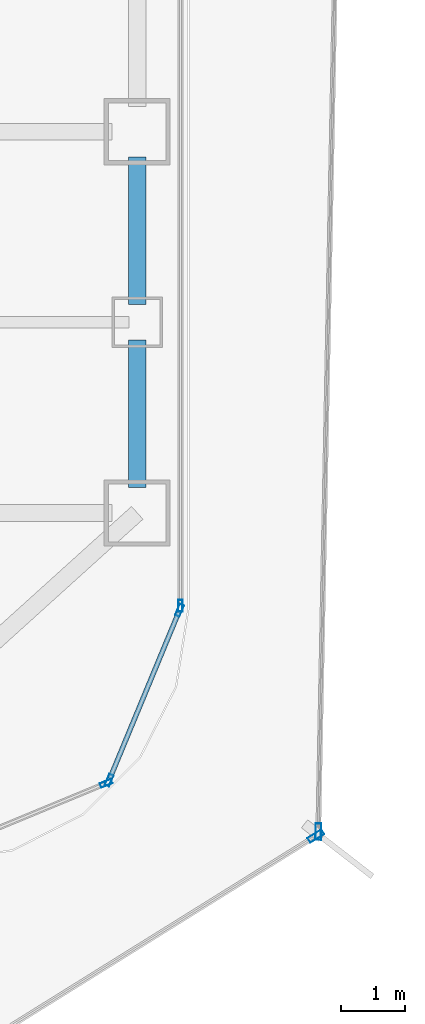
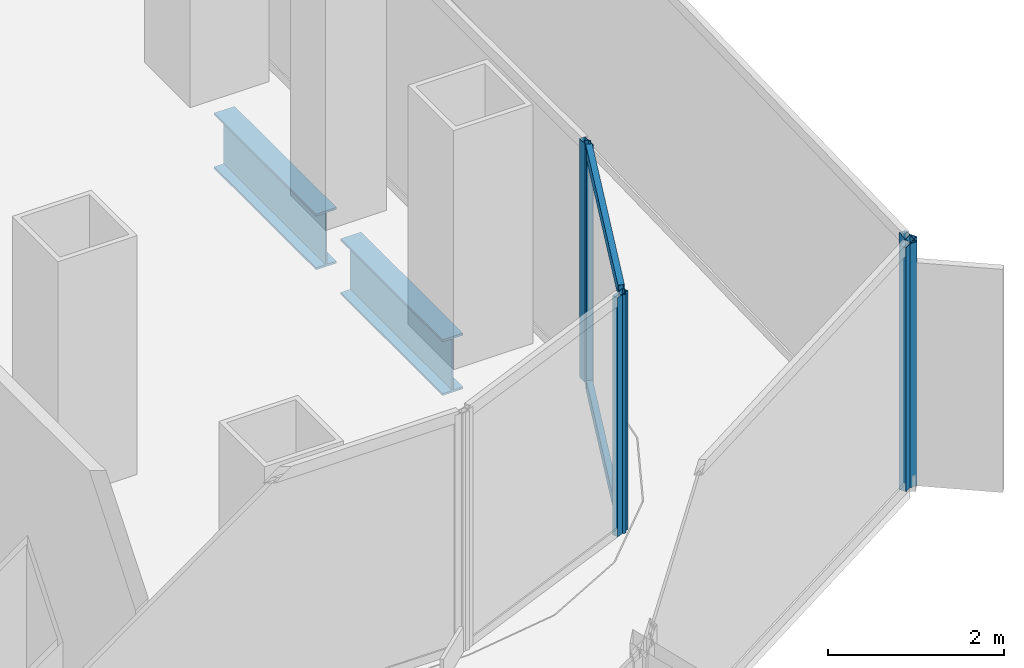
# One storey, part 8 of 21: 8 members, 2 beams, 5 elements without a shape of their own.
"""IFC4 building model written with IfcOpenShell, lengths in metres."""

from ifc_helpers import new_model, si_unit, direction, frame, origin, origin_2d, place, context, subcontext, project, spatial, hollow_rectangle, i_section, extrude, source, transform, mapped, material, layer, layer_set, material_profile, profile_set, type_object, element, aggregate, save


model = new_model("IFC4")

# Units and contexts
model_context = context("Model", 3, precision=1e-05, world=origin(), true_north=direction((0.0, 1.0)))
body_context = subcontext(model_context, "Body", "Model", "MODEL_VIEW")
ifc_project = project(units=[si_unit("LENGTHUNIT", "METRE"), si_unit("AREAUNIT", "SQUARE_METRE"), si_unit("VOLUMEUNIT", "CUBIC_METRE"), si_unit("PLANEANGLEUNIT", "RADIAN"), si_unit("MASSUNIT", "GRAM", prefix="KILO")], contexts=[model_context])

# Site, building, storey
site_placement = place(None, origin())
site = spatial("IfcSite", under=ifc_project, at=site_placement, CompositionType="ELEMENT")
building_placement = place(site_placement, origin())
building = spatial("IfcBuilding", under=site, at=building_placement, Name="Kolveth Station Tower", CompositionType="ELEMENT")
storey_placement = place(building_placement, frame((0.0, 0.0, 26.10009765625)))
storey = spatial("IfcBuildingStorey", under=building, at=storey_placement, Name="L06", CompositionType="ELEMENT", Elevation=26.10009765625)

# Beams
ifc_material_1 = material(Name="Steel S355", Category="steel")
ifc_material_profile_1 = material_profile(ifc_material_1, i_section(OverallWidth=0.26904296875, OverallDepth=0.77490234375, WebThickness=0.01708984375, FlangeThickness=0.0283203125, at=origin_2d()), Name="W760x220")
ifc_profile_set_1 = profile_set([ifc_material_profile_1], Name="Steel S355")
beam_type = type_object("IfcBeamType", Name="Beam_SP1", PredefinedType="SPANDREL", material=ifc_profile_set_1)
shared_shape_1 = source(origin(), body_context, "Body", "SweptSolid", [
    extrude(i_section(OverallWidth=0.26904296875, OverallDepth=0.77490234375, WebThickness=0.01708984375, FlangeThickness=0.0283203125, at=origin_2d()), origin(), (0.0, 0.0, 1.0), 2.320068359375),
])
for number, where, z_axis, x_axis, name in (
    (1, (46.199951171875, 5.89990234375, -0.66748046875), (0.0, 1.0, 0.0), (-1.0, 0.0, 0.0), "L06 Perimeter Spandrel BM-L06-PE-1"),
    (2, (46.199951171875, 8.780029296875, -0.66748046875), (0.0, 1.0, 0.0), (-1.0, 0.0, 0.0), "L06 Perimeter Spandrel BM-L06-PE-2"),
):
    element("IfcBeam", number, at=place(storey_placement, frame(where, z_axis=z_axis, x_axis=x_axis)), inside=storey, type_object=beam_type, Name=name, PredefinedType="SPANDREL", context=body_context, shape_type="MappedRepresentation", body=[
        mapped(shared_shape_1, transform((0.0, 0.0, 0.0), x_axis=(1.0, 0.0, 0.0), y_axis=(0.0, 1.0, 0.0), z_axis=(0.0, 0.0, 1.0), scale=1.0)),
    ])

# Curtain wall, members
ifc_material_2 = material(Name="Aluminium 6063-T6 and low-E dark glass", Category="aluminium")
ifc_layer_1 = layer(ifc_material_2, 0.179931640625)
ifc_layer_set_1 = layer_set([ifc_layer_1], Name="Aluminium 6063-T6 and low-E dark glass")
curtain_wall_type_1 = type_object("IfcCurtainWallType", Name="CurtainWall_CW-Z1", PredefinedType="NOTDEFINED", material=ifc_layer_set_1)
curtain_wall_1_placement = place(storey_placement, origin())
curtain_wall_1 = element("IfcCurtainWall", 3, at=curtain_wall_1_placement, inside=storey, type_object=curtain_wall_type_1, Name="L06 Inner Thermal Curtain Wall 2", PredefinedType="NOTDEFINED")
ifc_material_3 = material(Name="Black anodized aluminium 6063-T6", Category="aluminium")
ifc_material_profile_2 = material_profile(ifc_material_3, hollow_rectangle(XDim=0.074951171875, YDim=0.159912109375, WallThickness=0.0048828125, at=origin_2d()), Name="ALU-75x160x5")
ifc_profile_set_2 = profile_set([ifc_material_profile_2], Name="Black anodized aluminium 6063-T6")
member_type_1 = type_object("IfcMemberType", Name="Transom_TR1", PredefinedType="USERDEFINED", material=ifc_profile_set_2)
shared_shape_2 = source(origin(), body_context, "Body", "SweptSolid", [
    extrude(hollow_rectangle(XDim=0.074951171875, YDim=0.159912109375, WallThickness=0.0048828125, at=origin_2d()), origin(), (0.0, 0.0, 1.0), 2.819580078125),
])
member_1_placement = place(storey_placement, frame((45.772216796875, 1.32568359375, 0.037353515625), z_axis=(0.382708655389, 0.923869084389, 0.0), x_axis=(-0.923869084389, 0.382708655389, 0.0)))
member_1 = element("IfcMember", 4, at=member_1_placement, type_object=member_type_1, Name="CW-Z1 transom 1.1", ObjectType="TRANSOM", PredefinedType="USERDEFINED", context=body_context, shape_type="MappedRepresentation", body=[
    mapped(shared_shape_2, transform((0.0, 0.0, 0.0), x_axis=(1.0, 0.0, 0.0), y_axis=(0.0, 1.0, 0.0), z_axis=(0.0, 0.0, 1.0), scale=1.0)),
])
member_2_placement = place(storey_placement, frame((45.772216796875, 1.32568359375, 3.282470703125), z_axis=(0.382708655389, 0.923869084389, 0.0), x_axis=(-0.923869084389, 0.382708655389, 0.0)))
member_2 = element("IfcMember", 5, at=member_2_placement, type_object=member_type_1, Name="CW-Z1 transom 1.2", ObjectType="TRANSOM", PredefinedType="USERDEFINED", context=body_context, shape_type="MappedRepresentation", body=[
    mapped(shared_shape_2, transform((0.0, 0.0, 0.0), x_axis=(1.0, 0.0, 0.0), y_axis=(0.0, 1.0, 0.0), z_axis=(0.0, 0.0, 1.0), scale=1.0)),
])

# Curtain wall, member
ifc_material_4 = material(Name="Black anodized aluminium 6063-T6 and dark solar glass", Category="aluminium")
ifc_layer_2 = layer(ifc_material_4, 0.159912109375)
ifc_layer_set_2 = layer_set([ifc_layer_2], Name="Black anodized aluminium 6063-T6 and dark solar glass")
curtain_wall_type_2 = type_object("IfcCurtainWallType", Name="OUTER SKIN CW-OS", PredefinedType="NOTDEFINED", material=ifc_layer_set_2)
curtain_wall_2_placement = place(storey_placement, origin())
curtain_wall_2 = element("IfcCurtainWall", 6, at=curtain_wall_2_placement, inside=storey, type_object=curtain_wall_type_2, Name="L06 Outer Ventilated Skin Curtain Wall 1", PredefinedType="NOTDEFINED")
ifc_material_profile_3 = material_profile(ifc_material_3, hollow_rectangle(XDim=0.090087890625, YDim=0.260009765625, WallThickness=0.0048828125, at=origin_2d()), Name="ALU-90x260x5")
ifc_profile_set_3 = profile_set([ifc_material_profile_3], Name="Black anodized aluminium 6063-T6")
member_type_2 = type_object("IfcMemberType", Name="FIN MULLION ML-OS", PredefinedType="MULLION", material=ifc_profile_set_3)
shared_shape_3 = source(origin(), body_context, "Body", "SweptSolid", [
    extrude(hollow_rectangle(XDim=0.090087890625, YDim=0.260009765625, WallThickness=0.0048828125, at=origin_2d()), origin(), (0.0, 0.0, 1.0), 3.389892578125),
])
member_3_placement = place(storey_placement, frame((49.013427734375, 0.411865234375, 0.0), z_axis=(0.0, 0.0, 1.0), x_axis=(-0.528751332674, 0.848776783492, 0.0)))
member_3 = element("IfcMember", 7, at=member_3_placement, type_object=member_type_2, Name="CW-OS mullion 2", PredefinedType="MULLION", context=body_context, shape_type="MappedRepresentation", body=[
    mapped(shared_shape_3, transform((0.0, 0.0, 0.0), x_axis=(1.0, 0.0, 0.0), y_axis=(0.0, 1.0, 0.0), z_axis=(0.0, 0.0, 1.0), scale=1.0)),
])
aggregate(curtain_wall_2, [member_3])

curtain_wall_3_placement = place(storey_placement, origin())
curtain_wall_3 = element("IfcCurtainWall", 8, at=curtain_wall_3_placement, inside=storey, type_object=curtain_wall_type_2, Name="L06 Outer Ventilated Skin Curtain Wall 2", PredefinedType="NOTDEFINED")
member_4_placement = place(storey_placement, frame((49.052490234375, 0.480712890625, 0.0), z_axis=(0.0, 0.0, 1.0), x_axis=(-0.999810466058, 0.01946874317, 0.0)))
member_4 = element("IfcMember", 9, at=member_4_placement, type_object=member_type_2, Name="CW-OS mullion 1", PredefinedType="MULLION", context=body_context, shape_type="MappedRepresentation", body=[
    mapped(shared_shape_3, transform((0.0, 0.0, 0.0), x_axis=(1.0, 0.0, 0.0), y_axis=(0.0, 1.0, 0.0), z_axis=(0.0, 0.0, 1.0), scale=1.0)),
])
aggregate(curtain_wall_3, [member_4])

curtain_wall_4_placement = place(storey_placement, origin())
curtain_wall_4 = element("IfcCurtainWall", 10, at=curtain_wall_4_placement, inside=storey, type_object=curtain_wall_type_1, Name="L06 Inner Thermal Curtain Wall 1", PredefinedType="NOTDEFINED")
ifc_material_profile_4 = material_profile(ifc_material_3, hollow_rectangle(XDim=0.074951171875, YDim=0.18994140625, WallThickness=0.0048828125, at=origin_2d()), Name="ALU-75x190x5")
ifc_profile_set_4 = profile_set([ifc_material_profile_4], Name="Black anodized aluminium 6063-T6")
member_type_3 = type_object("IfcMemberType", Name="Mullion_ML1", PredefinedType="MULLION", material=ifc_profile_set_4)
shared_shape_4 = source(origin(), body_context, "Body", "SweptSolid", [
    extrude(hollow_rectangle(XDim=0.074951171875, YDim=0.18994140625, WallThickness=0.0048828125, at=origin_2d()), origin(), (0.0, 0.0, 1.0), 3.31982421875),
])
member_5_placement = place(storey_placement, frame((45.708984375, 1.241943359375, 0.0), z_axis=(0.0, 0.0, 1.0), x_axis=(-0.382672990201, 0.923883857728, 0.0)))
member_5 = element("IfcMember", 11, at=member_5_placement, type_object=member_type_3, Name="CW-Z1 mullion 2", PredefinedType="MULLION", context=body_context, shape_type="MappedRepresentation", body=[
    mapped(shared_shape_4, transform((0.0, 0.0, 0.0), x_axis=(1.0, 0.0, 0.0), y_axis=(0.0, 1.0, 0.0), z_axis=(0.0, 0.0, 1.0), scale=1.0)),
])
aggregate(curtain_wall_4, [member_5])

# Member
member_6_placement = place(storey_placement, frame((45.758056640625, 1.291015625, 0.0), z_axis=(0.0, 0.0, 1.0), x_axis=(-0.923883857728, 0.382672990201, 0.0)))
member_6 = element("IfcMember", 12, at=member_6_placement, type_object=member_type_3, Name="CW-Z1 mullion 1", PredefinedType="MULLION", context=body_context, shape_type="MappedRepresentation", body=[
    mapped(shared_shape_4, transform((0.0, 0.0, 0.0), x_axis=(1.0, 0.0, 0.0), y_axis=(0.0, 1.0, 0.0), z_axis=(0.0, 0.0, 1.0), scale=1.0)),
])

member_7_placement = place(storey_placement, frame((46.86572265625, 3.96533203125, 0.0), z_axis=(0.0, 0.0, 1.0), x_axis=(-0.923883857728, 0.382672990201, 0.0)))
member_7 = element("IfcMember", 13, at=member_7_placement, type_object=member_type_3, Name="CW-Z1 mullion 2", PredefinedType="MULLION", context=body_context, shape_type="MappedRepresentation", body=[
    mapped(shared_shape_4, transform((0.0, 0.0, 0.0), x_axis=(1.0, 0.0, 0.0), y_axis=(0.0, 1.0, 0.0), z_axis=(0.0, 0.0, 1.0), scale=1.0)),
])

aggregate(curtain_wall_1, [member_6, member_7, member_1, member_2])

# Curtain wall, member
curtain_wall_5_placement = place(storey_placement, origin())
curtain_wall_5 = element("IfcCurtainWall", 14, at=curtain_wall_5_placement, inside=storey, type_object=curtain_wall_type_1, Name="L06 Inner Thermal Curtain Wall 3", PredefinedType="NOTDEFINED")
member_8_placement = place(storey_placement, frame((46.8798828125, 4.03759765625, 0.0), z_axis=(0.0, 0.0, 1.0), x_axis=(-1.0, 0.0, 0.0)))
member_8 = element("IfcMember", 15, at=member_8_placement, type_object=member_type_3, Name="CW-Z1 mullion 1", PredefinedType="MULLION", context=body_context, shape_type="MappedRepresentation", body=[
    mapped(shared_shape_4, transform((0.0, 0.0, 0.0), x_axis=(1.0, 0.0, 0.0), y_axis=(0.0, 1.0, 0.0), z_axis=(0.0, 0.0, 1.0), scale=1.0)),
])
aggregate(curtain_wall_5, [member_8])

save(model, "model.ifc")
